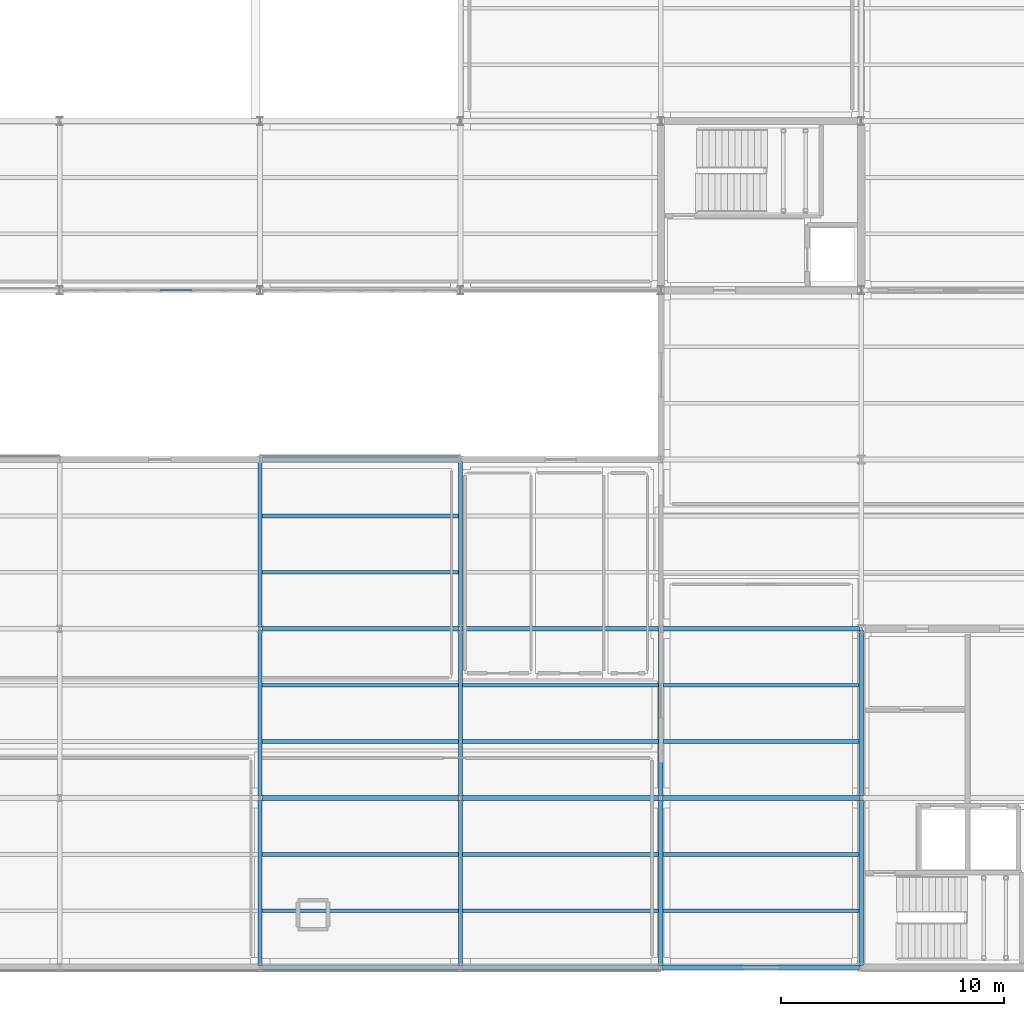
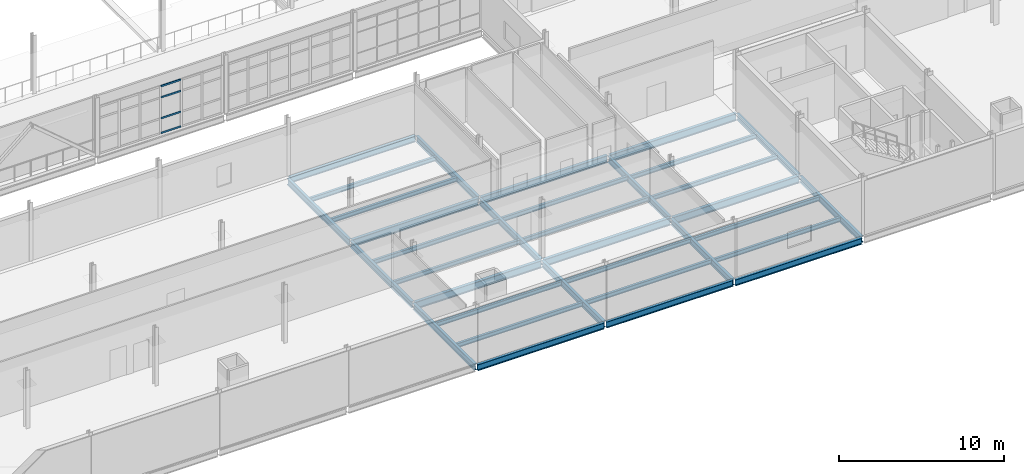
# One storey, part 33 of 174: 34 beams, 4 members, 1 element without a shape of its own.
"""IFC4 building model written with IfcOpenShell, lengths in metres."""

from ifc_helpers import new_model, si_unit, direction, frame, origin, origin_2d, place, context, subcontext, project, spatial, hollow_rectangle, i_section, extrude, material, material_profile, profile_set, type_object, element, aggregate, save


model = new_model("IFC4")

# Units and contexts
model_context = context("Model", 3, precision=1e-05, world=origin(), true_north=direction((0.0, 1.0)))
body_context = subcontext(model_context, "Body", "Model", "MODEL_VIEW")
ifc_project = project(units=[si_unit("LENGTHUNIT", "METRE"), si_unit("AREAUNIT", "SQUARE_METRE"), si_unit("VOLUMEUNIT", "CUBIC_METRE"), si_unit("PLANEANGLEUNIT", "RADIAN"), si_unit("MASSUNIT", "GRAM", prefix="KILO")], contexts=[model_context])

# Site, building, storey
site_placement = place(None, origin())
site = spatial("IfcSite", under=ifc_project, at=site_placement, CompositionType="ELEMENT")
building_placement = place(site_placement, origin())
building = spatial("IfcBuilding", under=site, at=building_placement, Name="Caisbarro Railhouse Central Library", CompositionType="ELEMENT")
storey_placement = place(building_placement, frame((0.0, 0.0, 5.0400390625)))
storey = spatial("IfcBuildingStorey", under=building, at=storey_placement, Name="L01", CompositionType="ELEMENT", Elevation=5.0400390625)

# Beams
ifc_material_1 = material(Name="Steel ASTM A572 Grade 50", Category="steel")
ifc_material_profile_1 = material_profile(ifc_material_1, i_section(OverallWidth=0.2119140625, OverallDepth=0.5439453125, WebThickness=0.01318359375, FlangeThickness=0.021240234375, FilletRadius=0.02001953125, at=origin_2d()), Name="W530X123.0")
ifc_profile_set_1 = profile_set([ifc_material_profile_1], Name="Steel ASTM A572 Grade 50")
beam_type_1 = type_object("IfcBeamType", Name="BM-G05", PredefinedType="BEAM", material=ifc_profile_set_1)
for number, where, z_axis, x_axis, name in (
    (1, (54.080078125, 7.60009765625, -0.511962890625), (1.0, 0.0, 0.0), (0.0, 1.0, 0.0), "G05 beam L01 #698"),
    (2, (54.080078125, 15.199951171875, -0.511962890625), (1.0, 0.0, 0.0), (0.0, 1.0, 0.0), "G05 beam L01 #704"),
    (3, (36.080078125, 7.60009765625, -0.471923828125), (1.0, 0.0, 0.0), (0.0, 1.0, 0.0), "G05 beam L01 #1091"),
    (4, (45.080078125, 7.60009765625, -0.471923828125), (1.0, 0.0, 0.0), (0.0, 1.0, 0.0), "G05 beam L01 #1092"),
    (5, (36.080078125, 15.199951171875, -0.471923828125), (1.0, 0.0, 0.0), (0.0, 1.0, 0.0), "G05 beam L01 #1097"),
    (6, (45.080078125, 15.199951171875, -0.471923828125), (1.0, 0.0, 0.0), (0.0, 1.0, 0.0), "G05 beam L01 #1098"),
):
    element("IfcBeam", number, at=place(storey_placement, frame(where, z_axis=z_axis, x_axis=x_axis)), inside=storey, type_object=beam_type_1, Name=name, PredefinedType="BEAM", context=body_context, shape_type="SweptSolid", body=[
        extrude(i_section(OverallWidth=0.2119140625, OverallDepth=0.5439453125, WebThickness=0.01318359375, FlangeThickness=0.021240234375, FilletRadius=0.02001953125, at=origin_2d()), origin(), (0.0, 0.0, 1.0), 8.83984375),
    ])
ifc_material_profile_2 = material_profile(ifc_material_1, i_section(OverallWidth=0.194091796875, OverallDepth=0.468994140625, WebThickness=0.0126953125, FlangeThickness=0.0205078125, FilletRadius=0.01806640625, at=origin_2d()), Name="W460X106.0")
ifc_profile_set_2 = profile_set([ifc_material_profile_2], Name="Steel ASTM A572 Grade 50")
beam_type_2 = type_object("IfcBeamType", Name="BM-G07", PredefinedType="BEAM", material=ifc_profile_set_2)
beam_1_placement = place(storey_placement, frame((54.0, 0.080078125, -0.474609375), z_axis=(0.0, 1.0, 0.0), x_axis=(-1.0, 0.0, 0.0)))
element("IfcBeam", 7, at=beam_1_placement, inside=storey, type_object=beam_type_2, Name="G07 beam L01 #722", PredefinedType="BEAM", context=body_context, shape_type="SweptSolid", body=[
    extrude(i_section(OverallWidth=0.194091796875, OverallDepth=0.468994140625, WebThickness=0.0126953125, FlangeThickness=0.0205078125, FilletRadius=0.01806640625, at=origin_2d()), origin(), (0.0, 0.0, 1.0), 7.43994140625),
])
beam_2_placement = place(storey_placement, frame((54.0, 7.679931640625, -0.474609375), z_axis=(0.0, 1.0, 0.0), x_axis=(-1.0, 0.0, 0.0)))
element("IfcBeam", 8, at=beam_2_placement, inside=storey, type_object=beam_type_2, Name="G07 beam L01 #723", PredefinedType="BEAM", context=body_context, shape_type="SweptSolid", body=[
    extrude(i_section(OverallWidth=0.194091796875, OverallDepth=0.468994140625, WebThickness=0.0126953125, FlangeThickness=0.0205078125, FilletRadius=0.01806640625, at=origin_2d()), origin(), (0.0, 0.0, 1.0), 7.440185546875),
])
beam_3_placement = place(storey_placement, frame((63.0, 0.080078125, -0.474609375), z_axis=(0.0, 1.0, 0.0), x_axis=(-1.0, 0.0, 0.0)))
element("IfcBeam", 9, at=beam_3_placement, inside=storey, type_object=beam_type_2, Name="G07 beam L01 #726", PredefinedType="BEAM", context=body_context, shape_type="SweptSolid", body=[
    extrude(i_section(OverallWidth=0.194091796875, OverallDepth=0.468994140625, WebThickness=0.0126953125, FlangeThickness=0.0205078125, FilletRadius=0.01806640625, at=origin_2d()), origin(), (0.0, 0.0, 1.0), 7.43994140625),
])
beam_4_placement = place(storey_placement, frame((63.0, 7.679931640625, -0.474609375), z_axis=(0.0, 1.0, 0.0), x_axis=(-1.0, 0.0, 0.0)))
element("IfcBeam", 10, at=beam_4_placement, inside=storey, type_object=beam_type_2, Name="G07 beam L01 #727", PredefinedType="BEAM", context=body_context, shape_type="SweptSolid", body=[
    extrude(i_section(OverallWidth=0.194091796875, OverallDepth=0.468994140625, WebThickness=0.0126953125, FlangeThickness=0.0205078125, FilletRadius=0.01806640625, at=origin_2d()), origin(), (0.0, 0.0, 1.0), 7.440185546875),
])
beam_5_placement = place(storey_placement, frame((36.0, 0.080078125, -0.4345703125), z_axis=(0.0, 1.0, 0.0), x_axis=(-1.0, 0.0, 0.0)))
element("IfcBeam", 11, at=beam_5_placement, inside=storey, type_object=beam_type_2, Name="G07 beam L01 #1117", PredefinedType="BEAM", context=body_context, shape_type="SweptSolid", body=[
    extrude(i_section(OverallWidth=0.194091796875, OverallDepth=0.468994140625, WebThickness=0.0126953125, FlangeThickness=0.0205078125, FilletRadius=0.01806640625, at=origin_2d()), origin(), (0.0, 0.0, 1.0), 7.43994140625),
])
beam_6_placement = place(storey_placement, frame((36.0, 7.679931640625, -0.4345703125), z_axis=(0.0, 1.0, 0.0), x_axis=(-1.0, 0.0, 0.0)))
element("IfcBeam", 12, at=beam_6_placement, inside=storey, type_object=beam_type_2, Name="G07 beam L01 #1118", PredefinedType="BEAM", context=body_context, shape_type="SweptSolid", body=[
    extrude(i_section(OverallWidth=0.194091796875, OverallDepth=0.468994140625, WebThickness=0.0126953125, FlangeThickness=0.0205078125, FilletRadius=0.01806640625, at=origin_2d()), origin(), (0.0, 0.0, 1.0), 7.440185546875),
])
for number, where, z_axis, x_axis, name in (
    (13, (36.0, 15.280029296875, -0.4345703125), (0.0, 1.0, 0.0), (-1.0, 0.0, 0.0), "G07 beam L01 #1119"),
    (14, (45.0, 0.080078125, -0.4345703125), (0.0, 1.0, 0.0), (-1.0, 0.0, 0.0), "G07 beam L01 #1120"),
):
    element("IfcBeam", number, at=place(storey_placement, frame(where, z_axis=z_axis, x_axis=x_axis)), inside=storey, type_object=beam_type_2, Name=name, PredefinedType="BEAM", context=body_context, shape_type="SweptSolid", body=[
        extrude(i_section(OverallWidth=0.194091796875, OverallDepth=0.468994140625, WebThickness=0.0126953125, FlangeThickness=0.0205078125, FilletRadius=0.01806640625, at=origin_2d()), origin(), (0.0, 0.0, 1.0), 7.43994140625),
    ])
beam_7_placement = place(storey_placement, frame((45.0, 7.679931640625, -0.4345703125), z_axis=(0.0, 1.0, 0.0), x_axis=(-1.0, 0.0, 0.0)))
element("IfcBeam", 15, at=beam_7_placement, inside=storey, type_object=beam_type_2, Name="G07 beam L01 #1121", PredefinedType="BEAM", context=body_context, shape_type="SweptSolid", body=[
    extrude(i_section(OverallWidth=0.194091796875, OverallDepth=0.468994140625, WebThickness=0.0126953125, FlangeThickness=0.0205078125, FilletRadius=0.01806640625, at=origin_2d()), origin(), (0.0, 0.0, 1.0), 7.440185546875),
])
beam_8_placement = place(storey_placement, frame((45.0, 15.280029296875, -0.4345703125), z_axis=(0.0, 1.0, 0.0), x_axis=(-1.0, 0.0, 0.0)))
element("IfcBeam", 16, at=beam_8_placement, inside=storey, type_object=beam_type_2, Name="G07 beam L01 #1122", PredefinedType="BEAM", context=body_context, shape_type="SweptSolid", body=[
    extrude(i_section(OverallWidth=0.194091796875, OverallDepth=0.468994140625, WebThickness=0.0126953125, FlangeThickness=0.0205078125, FilletRadius=0.01806640625, at=origin_2d()), origin(), (0.0, 0.0, 1.0), 7.43994140625),
])
ifc_material_profile_3 = material_profile(ifc_material_1, i_section(OverallWidth=0.1669921875, OverallDepth=0.31689453125, WebThickness=0.007568359375, FlangeThickness=0.01318359375, FilletRadius=0.011962890625, at=origin_2d()), Name="W310X52.0")
ifc_profile_set_3 = profile_set([ifc_material_profile_3], Name="Steel ASTM A572 Grade 50")
beam_type_3 = type_object("IfcBeamType", Name="BM-J02", PredefinedType="JOIST", material=ifc_profile_set_3)
for number, where, z_axis, x_axis, name in (
    (17, (54.096923828125, 2.533203125, -0.3984375), (1.0, 0.0, 0.0), (0.0, 1.0, 0.0), "J02 beam L01 #750"),
    (18, (54.096923828125, 5.066650390625, -0.3984375), (1.0, 0.0, 0.0), (0.0, 1.0, 0.0), "J02 beam L01 #751"),
    (19, (54.096923828125, 10.13330078125, -0.3984375), (1.0, 0.0, 0.0), (0.0, 1.0, 0.0), "J02 beam L01 #752"),
    (20, (54.096923828125, 12.666748046875, -0.3984375), (1.0, 0.0, 0.0), (0.0, 1.0, 0.0), "J02 beam L01 #753"),
    (21, (36.096923828125, 2.533203125, -0.358642578125), (1.0, 0.0, 0.0), (0.0, 1.0, 0.0), "J02 beam L01 #1147"),
    (22, (36.096923828125, 5.066650390625, -0.358642578125), (1.0, 0.0, 0.0), (0.0, 1.0, 0.0), "J02 beam L01 #1148"),
    (23, (36.096923828125, 10.13330078125, -0.358642578125), (1.0, 0.0, 0.0), (0.0, 1.0, 0.0), "J02 beam L01 #1149"),
    (24, (36.096923828125, 12.666748046875, -0.358642578125), (1.0, 0.0, 0.0), (0.0, 1.0, 0.0), "J02 beam L01 #1150"),
    (25, (36.096923828125, 17.7333984375, -0.358642578125), (1.0, 0.0, 0.0), (0.0, 1.0, 0.0), "J02 beam L01 #1151"),
    (26, (36.096923828125, 20.2666015625, -0.358642578125), (1.0, 0.0, 0.0), (0.0, 1.0, 0.0), "J02 beam L01 #1152"),
    (27, (45.096923828125, 2.533203125, -0.358642578125), (1.0, 0.0, 0.0), (0.0, 1.0, 0.0), "J02 beam L01 #1153"),
    (28, (45.096923828125, 5.066650390625, -0.358642578125), (1.0, 0.0, 0.0), (0.0, 1.0, 0.0), "J02 beam L01 #1154"),
    (29, (45.096923828125, 10.13330078125, -0.358642578125), (1.0, 0.0, 0.0), (0.0, 1.0, 0.0), "J02 beam L01 #1155"),
    (30, (45.096923828125, 12.666748046875, -0.358642578125), (1.0, 0.0, 0.0), (0.0, 1.0, 0.0), "J02 beam L01 #1156"),
):
    element("IfcBeam", number, at=place(storey_placement, frame(where, z_axis=z_axis, x_axis=x_axis)), inside=storey, type_object=beam_type_3, Name=name, PredefinedType="JOIST", context=body_context, shape_type="SweptSolid", body=[
        extrude(i_section(OverallWidth=0.1669921875, OverallDepth=0.31689453125, WebThickness=0.007568359375, FlangeThickness=0.01318359375, FilletRadius=0.011962890625, at=origin_2d()), origin(), (0.0, 0.0, 1.0), 8.80615234375),
    ])
ifc_material_profile_4 = material_profile(ifc_material_1, i_section(OverallWidth=0.18994140625, OverallDepth=0.45703125, WebThickness=0.009033203125, FlangeThickness=0.014404296875, FilletRadius=0.01806640625, at=origin_2d()), Name="W460X74.0")
ifc_profile_set_4 = profile_set([ifc_material_profile_4], Name="Steel ASTM A572 Grade 50")
beam_type_4 = type_object("IfcBeamType", Name="BM-SP01", PredefinedType="SPANDREL", material=ifc_profile_set_4)
for number, where, z_axis, x_axis, name in (
    (31, (54.080078125, 0.0, -0.468505859375), (1.0, 0.0, 0.0), (0.0, 1.0, 0.0), "SP01 beam L01 #692"),
    (32, (36.080078125, 0.0, -0.428466796875), (1.0, 0.0, 0.0), (0.0, 1.0, 0.0), "SP01 beam L01 #1085"),
    (33, (45.080078125, 0.0, -0.428466796875), (1.0, 0.0, 0.0), (0.0, 1.0, 0.0), "SP01 beam L01 #1086"),
    (34, (36.080078125, 22.800048828125, -0.428466796875), (1.0, 0.0, 0.0), (0.0, 1.0, 0.0), "SP01 beam L01 #1103"),
):
    element("IfcBeam", number, at=place(storey_placement, frame(where, z_axis=z_axis, x_axis=x_axis)), inside=storey, type_object=beam_type_4, Name=name, PredefinedType="SPANDREL", context=body_context, shape_type="SweptSolid", body=[
        extrude(i_section(OverallWidth=0.18994140625, OverallDepth=0.45703125, WebThickness=0.009033203125, FlangeThickness=0.014404296875, FilletRadius=0.01806640625, at=origin_2d()), origin(), (0.0, 0.0, 1.0), 8.83984375),
    ])

# Curtain wall, members
ifc_material_2 = material(Name="Anodised architectural aluminium", Category="aluminium")
curtain_wall_type = type_object("IfcCurtainWallType", Name="CW-CW02", PredefinedType="NOTDEFINED", material=ifc_material_2)
curtain_wall_placement = place(storey_placement, origin())
curtain_wall = element("IfcCurtainWall", 35, at=curtain_wall_placement, inside=storey, type_object=curtain_wall_type, Name="CW02 curtain wall L01 #35", PredefinedType="NOTDEFINED")
ifc_material_profile_5 = material_profile(ifc_material_2, hollow_rectangle(XDim=0.06494140625, YDim=0.1201171875, WallThickness=0.00341796875, at=origin_2d()), Name="ALU-TRN-65X120")
ifc_profile_set_5 = profile_set([ifc_material_profile_5], Name="Anodised architectural aluminium")
member_type = type_object("IfcMemberType", Name="CWT-T02", PredefinedType="USERDEFINED", material=ifc_profile_set_5)
member_1_placement = place(storey_placement, frame((31.532470703125, 30.39990234375, 0.032470703125), z_axis=(1.0, 0.0, 0.0), x_axis=(0.0, 1.0, 0.0)))
member_1 = element("IfcMember", 36, at=member_1_placement, type_object=member_type, Name="CW02 transom 4.1", ObjectType="TRANSOM", PredefinedType="USERDEFINED", context=body_context, shape_type="SweptSolid", body=[
    extrude(hollow_rectangle(XDim=0.06494140625, YDim=0.1201171875, WallThickness=0.00341796875, at=origin_2d()), origin(), (0.0, 0.0, 1.0), 1.381591796875),
])
member_2_placement = place(storey_placement, frame((31.532470703125, 30.39990234375, 1.119873046875), z_axis=(1.0, 0.0, 0.0), x_axis=(0.0, 1.0, 0.0)))
member_2 = element("IfcMember", 37, at=member_2_placement, type_object=member_type, Name="CW02 transom 4.2", ObjectType="TRANSOM", PredefinedType="USERDEFINED", context=body_context, shape_type="SweptSolid", body=[
    extrude(hollow_rectangle(XDim=0.06494140625, YDim=0.1201171875, WallThickness=0.00341796875, at=origin_2d()), origin(), (0.0, 0.0, 1.0), 1.381591796875),
])
member_3_placement = place(storey_placement, frame((31.532470703125, 30.39990234375, 2.659912109375), z_axis=(1.0, 0.0, 0.0), x_axis=(0.0, 1.0, 0.0)))
member_3 = element("IfcMember", 38, at=member_3_placement, type_object=member_type, Name="CW02 transom 4.3", ObjectType="TRANSOM", PredefinedType="USERDEFINED", context=body_context, shape_type="SweptSolid", body=[
    extrude(hollow_rectangle(XDim=0.06494140625, YDim=0.1201171875, WallThickness=0.00341796875, at=origin_2d()), origin(), (0.0, 0.0, 1.0), 1.381591796875),
])
member_4_placement = place(storey_placement, frame((31.532470703125, 30.39990234375, 3.4775390625), z_axis=(1.0, 0.0, 0.0), x_axis=(0.0, 1.0, 0.0)))
member_4 = element("IfcMember", 39, at=member_4_placement, type_object=member_type, Name="CW02 transom 4.4", ObjectType="TRANSOM", PredefinedType="USERDEFINED", context=body_context, shape_type="SweptSolid", body=[
    extrude(hollow_rectangle(XDim=0.06494140625, YDim=0.1201171875, WallThickness=0.00341796875, at=origin_2d()), origin(), (0.0, 0.0, 1.0), 1.381591796875),
])
aggregate(curtain_wall, [member_1, member_2, member_3, member_4])

save(model, "model.ifc")
